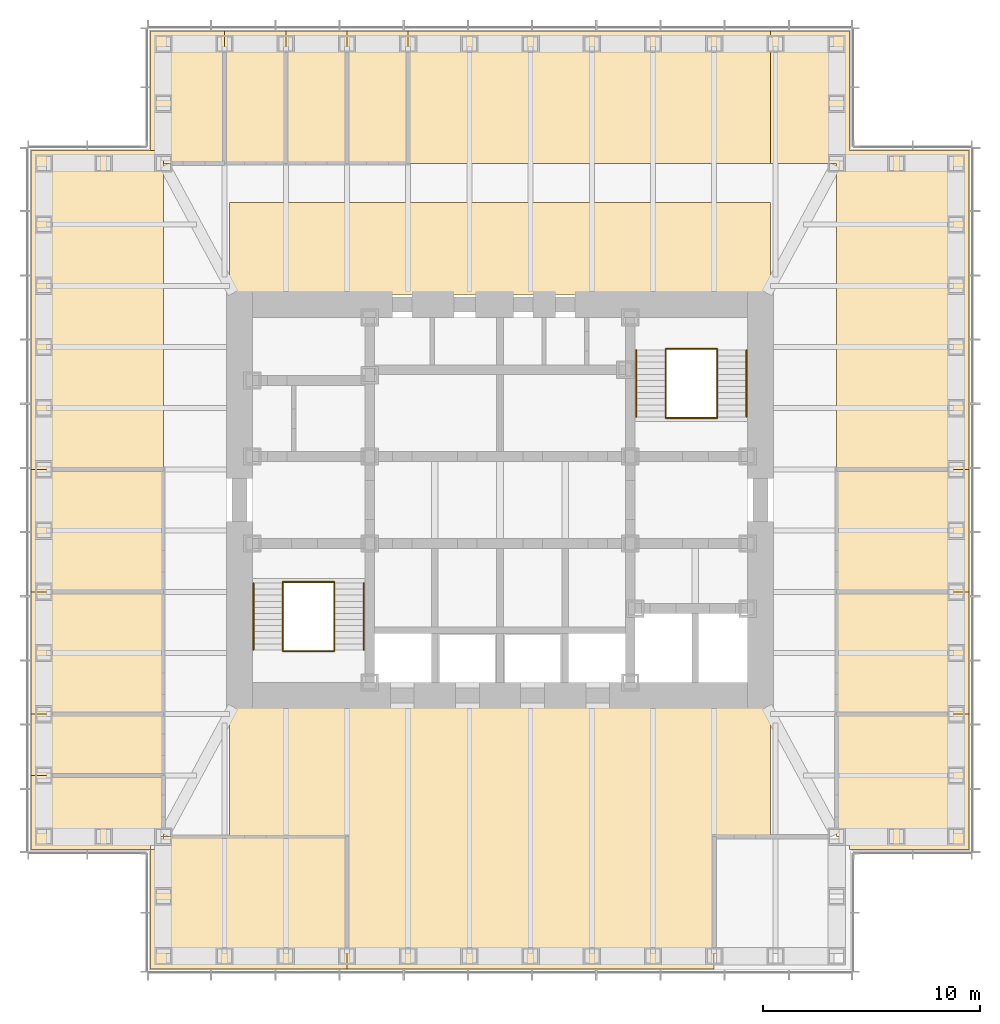
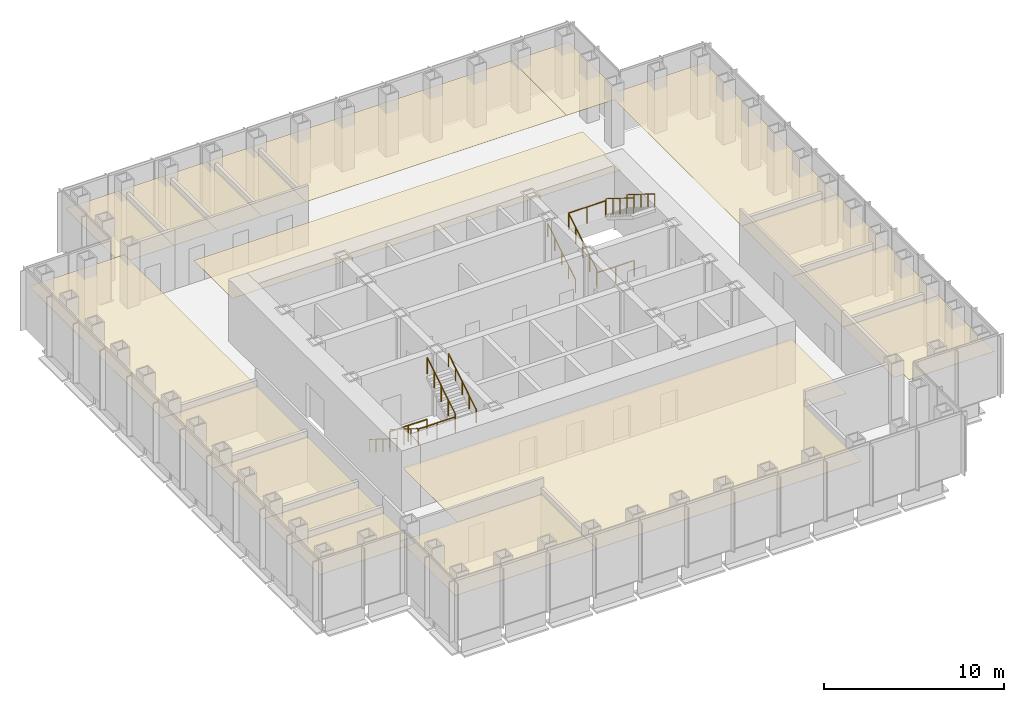
# One storey, part 16 of 16: 17 coverings, 12 railings.
"""IFC4 building model written with IfcOpenShell, lengths in metres."""

from ifc_helpers import new_model, si_unit, direction, frame, origin, origin_2d, place, context, subcontext, project, spatial, polyline, circle, outline, extrude, material, layer, layer_set, type_object, element, save


model = new_model("IFC4")

# Units and contexts
model_context = context("Model", 3, precision=1e-05, world=origin(), true_north=direction((0.0, 1.0)))
body_context = subcontext(model_context, "Body", "Model", "MODEL_VIEW")
ifc_project = project(units=[si_unit("LENGTHUNIT", "METRE"), si_unit("AREAUNIT", "SQUARE_METRE"), si_unit("VOLUMEUNIT", "CUBIC_METRE"), si_unit("PLANEANGLEUNIT", "RADIAN"), si_unit("MASSUNIT", "GRAM", prefix="KILO")], contexts=[model_context])

# Site, building, storey
site_placement = place(None, origin())
site = spatial("IfcSite", under=ifc_project, at=site_placement, CompositionType="ELEMENT")
building_placement = place(site_placement, origin())
building = spatial("IfcBuilding", under=site, at=building_placement, Name="Daluyong Arena Tower", CompositionType="ELEMENT")
storey_placement = place(building_placement, frame((0.0, 0.0, 235.89990234375)))
storey = spatial("IfcBuildingStorey", under=building, at=storey_placement, Name="L53", CompositionType="ELEMENT", Elevation=235.89990234375)

# Coverings
ifc_material_1 = material(Name="Mineral fibre ceiling tile", Category="gypsum board")
ifc_layer = layer(ifc_material_1, 0.02001953125)
ifc_layer_set = layer_set([ifc_layer], Name="Mineral fibre ceiling tile")
covering_type = type_object("IfcCoveringType", Name="Office ceiling", PredefinedType="CEILING", material=ifc_layer_set)
covering_1_placement = place(storey_placement, frame((0.0, 0.0, 2.900146484375)))
element("IfcCovering", 1, at=covering_1_placement, inside=storey, type_object=covering_type, Name="ceiling L53-01", PredefinedType="CEILING", context=body_context, shape_type="SweptSolid", body=[
    extrude(outline(polyline([(39.89990234375, 63.89990234375), (39.89990234375, 58.39990234375), (48.95458984375, 58.39990234375), (48.95458984375, 64.5), (40.5, 64.5), (40.5, 63.89990234375), (39.89990234375, 63.89990234375)])), origin(), (0.0, 0.0, 1.0), 0.02001953125),
])
covering_2_placement = place(storey_placement, frame((0.0, 0.0, 2.900146484375)))
element("IfcCovering", 2, at=covering_2_placement, inside=storey, type_object=covering_type, Name="ceiling L53-03", PredefinedType="CEILING", context=body_context, shape_type="SweptSolid", body=[
    extrude(outline(polyline([(72.10009765625, 63.89990234375), (77.60009765625, 63.89990234375), (77.60009765625, 70.136474609375), (71.5, 70.136474609375), (71.5, 64.5), (72.10009765625, 64.5), (72.10009765625, 63.89990234375)])), origin(), (0.0, 0.0, 1.0), 0.02001953125),
])
covering_3_placement = place(storey_placement, frame((0.0, 0.0, 2.900146484375)))
element("IfcCovering", 3, at=covering_3_placement, inside=storey, type_object=covering_type, Name="ceiling L53-04", PredefinedType="CEILING", context=body_context, shape_type="SweptSolid", body=[
    extrude(outline(polyline([(71.5, 70.136474609375), (77.60009765625, 70.136474609375), (77.60009765625, 75.772705078125), (71.5, 75.772705078125), (71.5, 70.136474609375)])), origin(), (0.0, 0.0, 1.0), 0.02001953125),
])
covering_4_placement = place(storey_placement, frame((0.0, 0.0, 2.900146484375)))
element("IfcCovering", 4, at=covering_4_placement, inside=storey, type_object=covering_type, Name="ceiling L53-05", PredefinedType="CEILING", context=body_context, shape_type="SweptSolid", body=[
    extrude(outline(polyline([(71.5, 75.772705078125), (77.60009765625, 75.772705078125), (77.60009765625, 81.4091796875), (71.5, 81.4091796875), (71.5, 75.772705078125)])), origin(), (0.0, 0.0, 1.0), 0.02001953125),
])
covering_5_placement = place(storey_placement, frame((0.0, 0.0, 2.900146484375)))
element("IfcCovering", 5, at=covering_5_placement, inside=storey, type_object=covering_type, Name="ceiling L53-06", PredefinedType="CEILING", context=body_context, shape_type="SweptSolid", body=[
    extrude(outline(polyline([(43.318115234375, 95.5), (43.318115234375, 101.60009765625), (39.89990234375, 101.60009765625), (39.89990234375, 96.10009765625), (40.5, 96.10009765625), (40.5, 95.5), (43.318115234375, 95.5)])), origin(), (0.0, 0.0, 1.0), 0.02001953125),
])
covering_6_placement = place(storey_placement, frame((0.0, 0.0, 2.900146484375)))
element("IfcCovering", 6, at=covering_6_placement, inside=storey, type_object=covering_type, Name="ceiling L53-07", PredefinedType="CEILING", context=body_context, shape_type="SweptSolid", body=[
    extrude(outline(polyline([(46.136474609375, 95.5), (46.136474609375, 101.60009765625), (43.318115234375, 101.60009765625), (43.318115234375, 95.5), (46.136474609375, 95.5)])), origin(), (0.0, 0.0, 1.0), 0.02001953125),
])
covering_7_placement = place(storey_placement, frame((0.0, 0.0, 2.900146484375)))
element("IfcCovering", 7, at=covering_7_placement, inside=storey, type_object=covering_type, Name="ceiling L53-08", PredefinedType="CEILING", context=body_context, shape_type="SweptSolid", body=[
    extrude(outline(polyline([(48.95458984375, 95.5), (48.95458984375, 101.60009765625), (46.136474609375, 101.60009765625), (46.136474609375, 95.5), (48.95458984375, 95.5)])), origin(), (0.0, 0.0, 1.0), 0.02001953125),
])
covering_8_placement = place(storey_placement, frame((0.0, 0.0, 2.900146484375)))
element("IfcCovering", 8, at=covering_8_placement, inside=storey, type_object=covering_type, Name="ceiling L53-09", PredefinedType="CEILING", context=body_context, shape_type="SweptSolid", body=[
    extrude(outline(polyline([(51.772705078125, 95.5), (51.772705078125, 101.60009765625), (48.95458984375, 101.60009765625), (48.95458984375, 95.5), (51.772705078125, 95.5)])), origin(), (0.0, 0.0, 1.0), 0.02001953125),
])
covering_9_placement = place(storey_placement, frame((0.0, 0.0, 2.900146484375)))
element("IfcCovering", 9, at=covering_9_placement, inside=storey, type_object=covering_type, Name="ceiling L53-10", PredefinedType="CEILING", context=body_context, shape_type="SweptSolid", body=[
    extrude(outline(polyline([(34.39990234375, 63.89990234375), (39.89990234375, 63.89990234375), (39.89990234375, 64.5), (40.5, 64.5), (40.5, 67.318115234375), (34.39990234375, 67.318115234375), (34.39990234375, 63.89990234375)])), origin(), (0.0, 0.0, 1.0), 0.02001953125),
])
covering_10_placement = place(storey_placement, frame((0.0, 0.0, 2.900146484375)))
element("IfcCovering", 10, at=covering_10_placement, inside=storey, type_object=covering_type, Name="ceiling L53-11", PredefinedType="CEILING", context=body_context, shape_type="SweptSolid", body=[
    extrude(outline(polyline([(40.5, 70.136474609375), (34.39990234375, 70.136474609375), (34.39990234375, 67.318115234375), (40.5, 67.318115234375), (40.5, 70.136474609375)])), origin(), (0.0, 0.0, 1.0), 0.02001953125),
])
covering_11_placement = place(storey_placement, frame((0.0, 0.0, 2.900146484375)))
element("IfcCovering", 11, at=covering_11_placement, inside=storey, type_object=covering_type, Name="ceiling L53-12", PredefinedType="CEILING", context=body_context, shape_type="SweptSolid", body=[
    extrude(outline(polyline([(40.5, 75.772705078125), (34.39990234375, 75.772705078125), (34.39990234375, 70.136474609375), (40.5, 70.136474609375), (40.5, 75.772705078125)])), origin(), (0.0, 0.0, 1.0), 0.02001953125),
])
covering_12_placement = place(storey_placement, frame((0.0, 0.0, 2.900146484375)))
element("IfcCovering", 12, at=covering_12_placement, inside=storey, type_object=covering_type, Name="ceiling L53-13", PredefinedType="CEILING", context=body_context, shape_type="SweptSolid", body=[
    extrude(outline(polyline([(40.5, 81.4091796875), (34.39990234375, 81.4091796875), (34.39990234375, 75.772705078125), (40.5, 75.772705078125), (40.5, 81.4091796875)])), origin(), (0.0, 0.0, 1.0), 0.02001953125),
])
covering_13_placement = place(storey_placement, frame((0.0, 0.0, 2.900146484375)))
element("IfcCovering", 13, at=covering_13_placement, inside=storey, type_object=covering_type, Name="ceiling L53-17", PredefinedType="CEILING", context=body_context, shape_type="SweptSolid", body=[
    extrude(outline(polyline([(48.95458984375, 58.39990234375), (65.863525390625, 58.39990234375), (65.863525390625, 64.5), (68.449951171875, 64.5), (68.449951171875, 70.550048828125), (43.550048828125, 70.550048828125), (43.550048828125, 64.5), (48.95458984375, 64.5), (48.95458984375, 58.39990234375)])), origin(), (0.0, 0.0, 1.0), 0.02001953125),
])
covering_14_placement = place(storey_placement, frame((0.0, 0.0, 2.900146484375)))
element("IfcCovering", 14, at=covering_14_placement, inside=storey, type_object=covering_type, Name="ceiling L53-18", PredefinedType="CEILING", context=body_context, shape_type="SweptSolid", body=[
    extrude(outline(polyline([(72.10009765625, 101.60009765625), (68.449951171875, 101.60009765625), (68.449951171875, 95.5), (71.5, 95.5), (71.5, 81.4091796875), (77.60009765625, 81.4091796875), (77.60009765625, 96.10009765625), (72.10009765625, 96.10009765625), (72.10009765625, 101.60009765625)])), origin(), (0.0, 0.0, 1.0), 0.02001953125),
])
covering_15_placement = place(storey_placement, frame((0.0, 0.0, 2.900146484375)))
element("IfcCovering", 15, at=covering_15_placement, inside=storey, type_object=covering_type, Name="ceiling L53-19", PredefinedType="CEILING", context=body_context, shape_type="SweptSolid", body=[
    extrude(outline(polyline([(68.449951171875, 101.60009765625), (51.772705078125, 101.60009765625), (51.772705078125, 95.5), (68.449951171875, 95.5), (68.449951171875, 101.60009765625)])), origin(), (0.0, 0.0, 1.0), 0.02001953125),
])
covering_16_placement = place(storey_placement, frame((0.0, 0.0, 2.900146484375)))
element("IfcCovering", 16, at=covering_16_placement, inside=storey, type_object=covering_type, Name="ceiling L53-20", PredefinedType="CEILING", context=body_context, shape_type="SweptSolid", body=[
    extrude(outline(polyline([(43.550048828125, 89.449951171875), (68.449951171875, 89.449951171875), (68.449951171875, 93.699951171875), (43.550048828125, 93.699951171875), (43.550048828125, 89.449951171875)])), origin(), (0.0, 0.0, 1.0), 0.02001953125),
])
covering_17_placement = place(storey_placement, frame((0.0, 0.0, 2.900146484375)))
element("IfcCovering", 17, at=covering_17_placement, inside=storey, type_object=covering_type, Name="ceiling L53-21", PredefinedType="CEILING", context=body_context, shape_type="SweptSolid", body=[
    extrude(outline(polyline([(40.5, 81.4091796875), (40.5, 96.10009765625), (34.39990234375, 96.10009765625), (34.39990234375, 81.4091796875), (40.5, 81.4091796875)])), origin(), (0.0, 0.0, 1.0), 0.02001953125),
])

# Railings
ifc_material_2 = material(Name="Stainless steel handrail", Category="steel")
railing_type_1 = type_object("IfcRailingType", Name="Stair handrail", PredefinedType="HANDRAIL", material=ifc_material_2)
railing_1_placement = place(storey_placement, frame((44.64990234375, 76.175048828125, 0.175048828125)))
element("IfcRailing", 18, at=railing_1_placement, inside=storey, type_object=railing_type_1, Name="exit stair A handrail L53", PredefinedType="HANDRAIL", context=body_context, shape_type="SweptSolid", body=[
    extrude(circle(Radius=0.02392578125, at=origin_2d()), frame((0.0, 0.0, 0.8759765625), z_axis=(0.0, -0.847998304005, 0.529998940003), x_axis=(1.0, 0.0, 0.0)), (0.0, 0.0, 1.0), 3.632080078125),
    extrude(circle(Radius=0.02099609375, at=origin_2d()), origin(), (0.0, 0.0, 1.0), 0.851806640625),
    extrude(circle(Radius=0.02099609375, at=origin_2d()), frame((0.0, -0.77001953125, 0.481201171875)), (0.0, 0.0, 1.0), 0.851806640625),
    extrude(circle(Radius=0.02099609375, at=origin_2d()), frame((0.0, -1.5400390625, 0.96240234375)), (0.0, 0.0, 1.0), 0.851806640625),
    extrude(circle(Radius=0.02099609375, at=origin_2d()), frame((0.0, -2.31005859375, 1.44384765625)), (0.0, 0.0, 1.0), 0.851806640625),
    extrude(circle(Radius=0.02099609375, at=origin_2d()), frame((0.0, -3.080078125, 1.925048828125)), (0.0, 0.0, 1.0), 0.851806640625),
])
for number, where, name in (
    (19, (49.72509765625, 73.094970703125, 2.275146484375), "exit stair A handrail L53"),
    (20, (62.27490234375, 83.824951171875, 0.175048828125), "exit stair B handrail L53"),
):
    element("IfcRailing", number, at=place(storey_placement, frame(where)), inside=storey, type_object=railing_type_1, Name=name, PredefinedType="HANDRAIL", context=body_context, shape_type="SweptSolid", body=[
        extrude(circle(Radius=0.02392578125, at=origin_2d()), frame((0.0, 0.0, 0.8759765625), z_axis=(0.0, 0.847998304005, 0.529998940003), x_axis=(-1.0, 0.0, 0.0)), (0.0, 0.0, 1.0), 3.632080078125),
        extrude(circle(Radius=0.02099609375, at=origin_2d()), origin(), (0.0, 0.0, 1.0), 0.851806640625),
        extrude(circle(Radius=0.02099609375, at=origin_2d()), frame((0.0, 0.77001953125, 0.481201171875)), (0.0, 0.0, 1.0), 0.851806640625),
        extrude(circle(Radius=0.02099609375, at=origin_2d()), frame((0.0, 1.5400390625, 0.96240234375)), (0.0, 0.0, 1.0), 0.851806640625),
        extrude(circle(Radius=0.02099609375, at=origin_2d()), frame((0.0, 2.31005859375, 1.44384765625)), (0.0, 0.0, 1.0), 0.851806640625),
        extrude(circle(Radius=0.02099609375, at=origin_2d()), frame((0.0, 3.080078125, 1.925048828125)), (0.0, 0.0, 1.0), 0.851806640625),
    ])
railing_2_placement = place(storey_placement, frame((67.35009765625, 86.905029296875, 2.275146484375)))
element("IfcRailing", 21, at=railing_2_placement, inside=storey, type_object=railing_type_1, Name="exit stair B handrail L53", PredefinedType="HANDRAIL", context=body_context, shape_type="SweptSolid", body=[
    extrude(circle(Radius=0.02392578125, at=origin_2d()), frame((0.0, 0.0, 0.8759765625), z_axis=(0.0, -0.847998304005, 0.529998940003), x_axis=(1.0, 0.0, 0.0)), (0.0, 0.0, 1.0), 3.632080078125),
    extrude(circle(Radius=0.02099609375, at=origin_2d()), origin(), (0.0, 0.0, 1.0), 0.851806640625),
    extrude(circle(Radius=0.02099609375, at=origin_2d()), frame((0.0, -0.77001953125, 0.481201171875)), (0.0, 0.0, 1.0), 0.851806640625),
    extrude(circle(Radius=0.02099609375, at=origin_2d()), frame((0.0, -1.5400390625, 0.96240234375)), (0.0, 0.0, 1.0), 0.851806640625),
    extrude(circle(Radius=0.02099609375, at=origin_2d()), frame((0.0, -2.31005859375, 1.44384765625)), (0.0, 0.0, 1.0), 0.851806640625),
    extrude(circle(Radius=0.02099609375, at=origin_2d()), frame((0.0, -3.080078125, 1.925048828125)), (0.0, 0.0, 1.0), 0.851806640625),
])
ifc_material_3 = material(Name="Steel balustrade", Category="steel")
railing_type_2 = type_object("IfcRailingType", Name="Stair well guard 1100", PredefinedType="GUARDRAIL", material=ifc_material_3)
railing_3_placement = place(storey_placement, frame((46.0, 76.175048828125, 0.175048828125)))
element("IfcRailing", 22, at=railing_3_placement, inside=storey, type_object=railing_type_2, Name="exit stair A well guard L53", PredefinedType="GUARDRAIL", context=body_context, shape_type="SweptSolid", body=[
    extrude(circle(Radius=0.02392578125, at=origin_2d()), frame((0.0, 0.0, 1.076171875), z_axis=(0.0, -0.847998304005, 0.529998940003), x_axis=(1.0, 0.0, 0.0)), (0.0, 0.0, 1.0), 3.632080078125),
    extrude(circle(Radius=0.02099609375, at=origin_2d()), origin(), (0.0, 0.0, 1.0), 1.052001953125),
    extrude(circle(Radius=0.02099609375, at=origin_2d()), frame((0.0, -0.77001953125, 0.481201171875)), (0.0, 0.0, 1.0), 1.052001953125),
    extrude(circle(Radius=0.02099609375, at=origin_2d()), frame((0.0, -1.5400390625, 0.96240234375)), (0.0, 0.0, 1.0), 1.052001953125),
    extrude(circle(Radius=0.02099609375, at=origin_2d()), frame((0.0, -2.31005859375, 1.44384765625)), (0.0, 0.0, 1.0), 1.052001953125),
    extrude(circle(Radius=0.02099609375, at=origin_2d()), frame((0.0, -3.080078125, 1.925048828125)), (0.0, 0.0, 1.0), 1.052001953125),
])
railing_4_placement = place(storey_placement, frame((48.375, 73.094970703125, 2.275146484375)))
element("IfcRailing", 23, at=railing_4_placement, inside=storey, type_object=railing_type_2, Name="exit stair A well guard L53", PredefinedType="GUARDRAIL", context=body_context, shape_type="SweptSolid", body=[
    extrude(circle(Radius=0.02392578125, at=origin_2d()), frame((0.0, 0.0, 1.076171875), z_axis=(0.0, 0.847998304005, 0.529998940003), x_axis=(-1.0, 0.0, 0.0)), (0.0, 0.0, 1.0), 3.632080078125),
    extrude(circle(Radius=0.02099609375, at=origin_2d()), origin(), (0.0, 0.0, 1.0), 1.052001953125),
    extrude(circle(Radius=0.02099609375, at=origin_2d()), frame((0.0, 0.77001953125, 0.481201171875)), (0.0, 0.0, 1.0), 1.052001953125),
    extrude(circle(Radius=0.02099609375, at=origin_2d()), frame((0.0, 1.5400390625, 0.96240234375)), (0.0, 0.0, 1.0), 1.052001953125),
    extrude(circle(Radius=0.02099609375, at=origin_2d()), frame((0.0, 2.31005859375, 1.44384765625)), (0.0, 0.0, 1.0), 1.052001953125),
    extrude(circle(Radius=0.02099609375, at=origin_2d()), frame((0.0, 3.080078125, 1.925048828125)), (0.0, 0.0, 1.0), 1.052001953125),
])
for number, where, name in (
    (24, (46.0, 73.044921875, 2.10009765625), "exit stair A landing guard L53"),
    (25, (46.0, 76.22509765625, 0.0), "exit stair A floor landing guard L53"),
):
    element("IfcRailing", number, at=place(storey_placement, frame(where)), inside=storey, type_object=railing_type_2, Name=name, PredefinedType="GUARDRAIL", context=body_context, shape_type="SweptSolid", body=[
        extrude(circle(Radius=0.02392578125, at=origin_2d()), frame((0.0, 0.0, 1.076171875), z_axis=(1.0, 0.0, 0.0), x_axis=(0.0, 1.0, 0.0)), (0.0, 0.0, 1.0), 2.375),
        extrude(circle(Radius=0.02099609375, at=origin_2d()), origin(), (0.0, 0.0, 1.0), 1.052001953125),
        extrude(circle(Radius=0.02099609375, at=origin_2d()), frame((1.1875, 0.0, 0.0)), (0.0, 0.0, 1.0), 1.052001953125),
        extrude(circle(Radius=0.02099609375, at=origin_2d()), frame((2.375, 0.0, 0.0)), (0.0, 0.0, 1.0), 1.052001953125),
    ])
railing_5_placement = place(storey_placement, frame((63.625, 83.824951171875, 0.175048828125)))
element("IfcRailing", 26, at=railing_5_placement, inside=storey, type_object=railing_type_2, Name="exit stair B well guard L53", PredefinedType="GUARDRAIL", context=body_context, shape_type="SweptSolid", body=[
    extrude(circle(Radius=0.02392578125, at=origin_2d()), frame((0.0, 0.0, 1.076171875), z_axis=(0.0, 0.847998304005, 0.529998940003), x_axis=(-1.0, 0.0, 0.0)), (0.0, 0.0, 1.0), 3.632080078125),
    extrude(circle(Radius=0.02099609375, at=origin_2d()), origin(), (0.0, 0.0, 1.0), 1.052001953125),
    extrude(circle(Radius=0.02099609375, at=origin_2d()), frame((0.0, 0.77001953125, 0.481201171875)), (0.0, 0.0, 1.0), 1.052001953125),
    extrude(circle(Radius=0.02099609375, at=origin_2d()), frame((0.0, 1.5400390625, 0.96240234375)), (0.0, 0.0, 1.0), 1.052001953125),
    extrude(circle(Radius=0.02099609375, at=origin_2d()), frame((0.0, 2.31005859375, 1.44384765625)), (0.0, 0.0, 1.0), 1.052001953125),
    extrude(circle(Radius=0.02099609375, at=origin_2d()), frame((0.0, 3.080078125, 1.925048828125)), (0.0, 0.0, 1.0), 1.052001953125),
])
railing_6_placement = place(storey_placement, frame((66.0, 86.905029296875, 2.275146484375)))
element("IfcRailing", 27, at=railing_6_placement, inside=storey, type_object=railing_type_2, Name="exit stair B well guard L53", PredefinedType="GUARDRAIL", context=body_context, shape_type="SweptSolid", body=[
    extrude(circle(Radius=0.02392578125, at=origin_2d()), frame((0.0, 0.0, 1.076171875), z_axis=(0.0, -0.847998304005, 0.529998940003), x_axis=(1.0, 0.0, 0.0)), (0.0, 0.0, 1.0), 3.632080078125),
    extrude(circle(Radius=0.02099609375, at=origin_2d()), origin(), (0.0, 0.0, 1.0), 1.052001953125),
    extrude(circle(Radius=0.02099609375, at=origin_2d()), frame((0.0, -0.77001953125, 0.481201171875)), (0.0, 0.0, 1.0), 1.052001953125),
    extrude(circle(Radius=0.02099609375, at=origin_2d()), frame((0.0, -1.5400390625, 0.96240234375)), (0.0, 0.0, 1.0), 1.052001953125),
    extrude(circle(Radius=0.02099609375, at=origin_2d()), frame((0.0, -2.31005859375, 1.44384765625)), (0.0, 0.0, 1.0), 1.052001953125),
    extrude(circle(Radius=0.02099609375, at=origin_2d()), frame((0.0, -3.080078125, 1.925048828125)), (0.0, 0.0, 1.0), 1.052001953125),
])
for number, where, name in (
    (28, (63.625, 86.955078125, 2.10009765625), "exit stair B landing guard L53"),
    (29, (63.625, 83.77490234375, 0.0), "exit stair B floor landing guard L53"),
):
    element("IfcRailing", number, at=place(storey_placement, frame(where)), inside=storey, type_object=railing_type_2, Name=name, PredefinedType="GUARDRAIL", context=body_context, shape_type="SweptSolid", body=[
        extrude(circle(Radius=0.02392578125, at=origin_2d()), frame((0.0, 0.0, 1.076171875), z_axis=(1.0, 0.0, 0.0), x_axis=(0.0, 1.0, 0.0)), (0.0, 0.0, 1.0), 2.375),
        extrude(circle(Radius=0.02099609375, at=origin_2d()), origin(), (0.0, 0.0, 1.0), 1.052001953125),
        extrude(circle(Radius=0.02099609375, at=origin_2d()), frame((1.1875, 0.0, 0.0)), (0.0, 0.0, 1.0), 1.052001953125),
        extrude(circle(Radius=0.02099609375, at=origin_2d()), frame((2.375, 0.0, 0.0)), (0.0, 0.0, 1.0), 1.052001953125),
    ])

save(model, "model.ifc")
